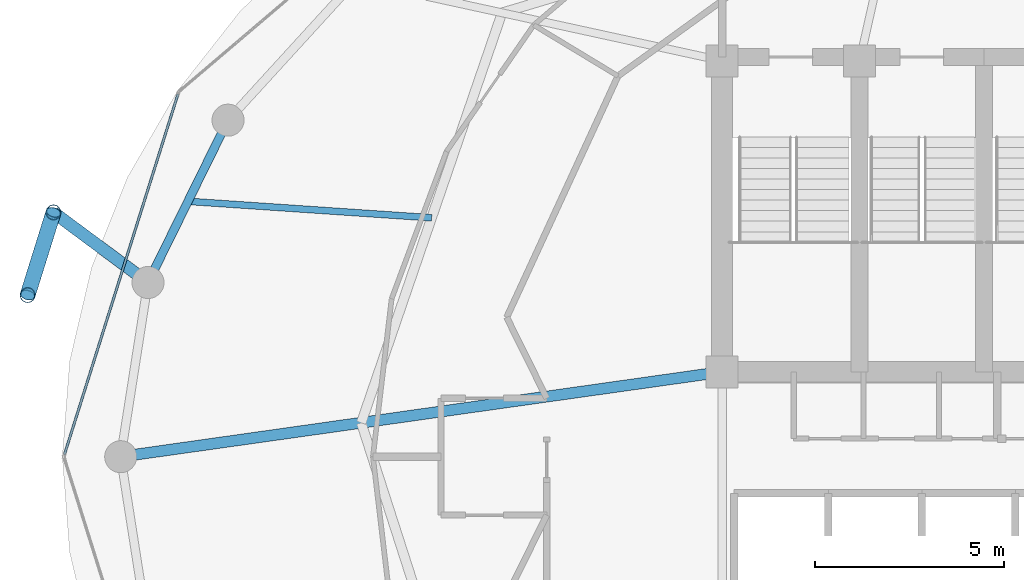
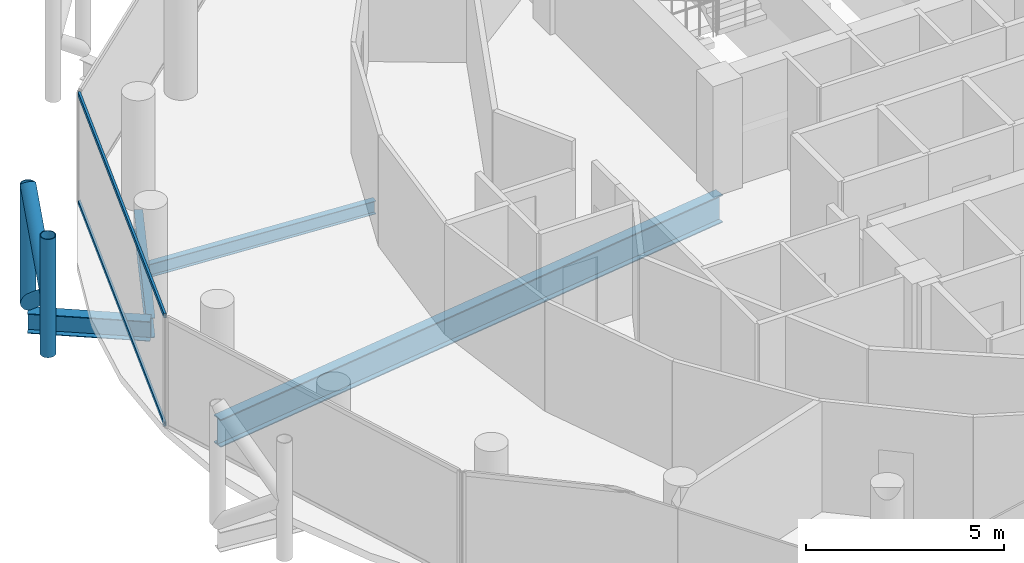
# One storey, part 8 of 27: 6 members, 4 beams, 1 element without a shape of its own.
"""IFC4 building model written with IfcOpenShell, lengths in metres."""

import ifcopenshell
import ifcopenshell.guid

model = None  # the IFC model being written
_history = None  # IfcOwnerHistory: only IFC2X3 demands one
_inside = {}  # id of a spatial element -> (the spatial element, [elements in it])
_under = {}  # id of a project, library or spatial element -> (it, [spatial elements below it])
_declared = {}  # id of a project -> (the project, [libraries it declares])
_typed = {}  # id of a type object -> (the type object, [elements of that type])
_made_of = {}  # id of a material, layer set ... -> (it, [elements and type objects made of it])


def new_model(schema):
    """Start an empty IFC model of exactly this schema.

    Asked for "IFC4X3", IfcOpenShell would pick the latest addendum, in which some entities
    have other attributes; the version numbers below select the first issue.
    IFC2X3 requires an IfcOwnerHistory on every rooted entity: one is made here for all.
    """
    global model, _history
    if schema == "IFC4X3":
        model = ifcopenshell.file(schema_version=(4, 3, 0, 0))
    else:
        model = ifcopenshell.file(schema=schema)
    _inside.clear()
    _under.clear()
    _declared.clear()
    _typed.clear()
    _made_of.clear()
    _history = None
    if model.schema == "IFC2X3":
        org = make("IfcOrganization", Name="unknown")
        user = make(
            "IfcPersonAndOrganization",
            ThePerson=make("IfcPerson", FamilyName="unknown"),
            TheOrganization=org,
        )
        app = make(
            "IfcApplication",
            ApplicationDeveloper=org,
            Version="unknown",
            ApplicationFullName="unknown",
            ApplicationIdentifier="unknown",
        )
        _history = make(
            "IfcOwnerHistory",
            OwningUser=user,
            OwningApplication=app,
            ChangeAction="ADDED",
            CreationDate=0,
        )
    return model


def make(cls, **values):
    """One entity of the class cls with the attributes given. An attribute that is None is left unset."""
    return model.create_entity(
        cls, **{name: value for name, value in values.items() if value is not None}
    )


def rooted(cls, **values):
    """An entity with a GlobalId (a new one), such as an element, a storey or a relation."""
    return make(cls, GlobalId=ifcopenshell.guid.new(), OwnerHistory=_history, **values)


def si_unit(unit_type, name, prefix=None):
    """IfcSIUnit, for example si_unit("LENGTHUNIT", "METRE", prefix="MILLI")."""
    return make("IfcSIUnit", UnitType=unit_type, Prefix=prefix, Name=name)


def assignment(units):
    """IfcUnitAssignment: the units of a project."""
    return None if units is None else make("IfcUnitAssignment", Units=units)


def point(xyz):
    """IfcCartesianPoint."""
    return None if xyz is None else make("IfcCartesianPoint", Coordinates=xyz)


def direction(xyz):
    """IfcDirection."""
    return None if xyz is None else make("IfcDirection", DirectionRatios=xyz)


def frame(location, z_axis=None, x_axis=None):
    """IfcAxis2Placement3D, a coordinate frame: its origin and axes. An axis left out is left unset."""
    return make(
        "IfcAxis2Placement3D",
        Location=point(location),
        Axis=direction(z_axis),
        RefDirection=direction(x_axis),
    )


def frame_2d(location, x_axis=None):
    """IfcAxis2Placement2D, a coordinate frame in the plane: its origin and x axis."""
    return make(
        "IfcAxis2Placement2D", Location=point(location), RefDirection=direction(x_axis)
    )


def origin():
    """The frame at (0, 0, 0) with its axes left unset."""
    return frame((0.0, 0.0, 0.0))


def origin_2d():
    """The frame at (0, 0) in the plane with its x axis left unset."""
    return frame_2d((0.0, 0.0))


def place(relative_to, where):
    """IfcLocalPlacement: puts the frame where relative to a parent placement (None: the world)."""
    return make(
        "IfcLocalPlacement", PlacementRelTo=relative_to, RelativePlacement=where
    )


def context(
    kind, dimensions, precision=None, world=None, true_north=None, identifier=None
):
    """IfcGeometricRepresentationContext, for example the 3D "Model" context."""
    return make(
        "IfcGeometricRepresentationContext",
        ContextIdentifier=identifier,
        ContextType=kind,
        CoordinateSpaceDimension=dimensions,
        Precision=precision,
        WorldCoordinateSystem=world,
        TrueNorth=true_north,
    )


def subcontext(parent, identifier, kind, view, scale=None):
    """IfcGeometricRepresentationSubContext, for example "Body" below "Model"."""
    return make(
        "IfcGeometricRepresentationSubContext",
        ContextIdentifier=identifier,
        ContextType=kind,
        ParentContext=parent,
        TargetScale=scale,
        TargetView=view,
    )


def project(units=None, contexts=None):
    """IfcProject with its units and contexts."""
    return rooted(
        "IfcProject",
        Name="project",
        RepresentationContexts=contexts,
        UnitsInContext=assignment(units),
    )


def spatial(cls, under=None, at=None, **own):
    """A site, building, storey or space (cls), placed at a placement, below another one or the project."""
    s = rooted(cls, ObjectPlacement=at, **own)
    if under is not None:
        _under.setdefault(under.id(), (under, []))[1].append(s)
    return s


def profile(cls, at=None, kind="AREA", **sizes):
    """A parametric profile (cls). Its sizes go by their IFC names, for example OverallWidth=200.0."""
    return make(cls, ProfileType=kind, Position=at, **sizes)


def hollow_rectangle(**sizes):
    """IfcRectangleHollowProfileDef."""
    return profile("IfcRectangleHollowProfileDef", **sizes)


def hollow_circle(**sizes):
    """IfcCircleHollowProfileDef."""
    return profile("IfcCircleHollowProfileDef", **sizes)


def i_section(**sizes):
    """IfcIShapeProfileDef."""
    return profile("IfcIShapeProfileDef", **sizes)


def extrude(swept, where, along, depth):
    """IfcExtrudedAreaSolid: the profile swept, set in the frame where, extruded along a direction by depth."""
    return make(
        "IfcExtrudedAreaSolid",
        SweptArea=swept,
        Position=where,
        ExtrudedDirection=direction(along),
        Depth=depth,
    )


def shape(context_of_items, identifier, shape_type, items):
    """IfcShapeRepresentation: the items that make up one representation, for example the "Body"."""
    return make(
        "IfcShapeRepresentation",
        ContextOfItems=context_of_items,
        RepresentationIdentifier=identifier,
        RepresentationType=shape_type,
        Items=items,
    )


def material(Name=None, Category=None):
    """IfcMaterial."""
    return make("IfcMaterial", Name=Name, Category=Category)


def layer(
    of_material, thickness, ventilated=None, Name=None, Category=None, Priority=None
):
    """IfcMaterialLayer: one layer of a wall or slab, of a material (None: an air gap)."""
    return make(
        "IfcMaterialLayer",
        Material=of_material,
        LayerThickness=thickness,
        IsVentilated=ventilated,
        Name=Name,
        Category=Category,
        Priority=Priority,
    )


def layer_set(layers, Name=None):
    """IfcMaterialLayerSet."""
    return make("IfcMaterialLayerSet", MaterialLayers=layers, LayerSetName=Name)


def material_profile(
    of_material, cross_section, Name=None, Category=None, Priority=None
):
    """IfcMaterialProfile: a cross section and its material."""
    return make(
        "IfcMaterialProfile",
        Name=Name,
        Material=of_material,
        Profile=cross_section,
        Priority=Priority,
        Category=Category,
    )


def profile_set(profiles, Name=None, composite=None):
    """IfcMaterialProfileSet."""
    return make(
        "IfcMaterialProfileSet",
        Name=Name,
        MaterialProfiles=profiles,
        CompositeProfile=composite,
    )


def made_of(thing, what):
    """Note that an element or type object is made of a material, layer set ...; save() writes the relation."""
    if what is not None:
        _made_of.setdefault(what.id(), (what, []))[1].append(thing)
    return thing


def type_object(cls, material=None, **own):
    """A type object (cls), such as IfcWallType, which elements share."""
    return made_of(rooted(cls, **own), material)


def element(
    cls,
    number,
    at=None,
    inside=None,
    cuts=None,
    type_object=None,
    material=None,
    context=None,
    identifier="Body",
    shape_type=None,
    held_by="IfcProductDefinitionShape",
    body=None,
    shapes=None,
    **own,
):
    """One element of the class cls, such as IfcWall. Its Tag is "e" and its number.

    at: its placement. inside: the storey or other place that contains it. cuts: it is an
    opening in that element (IfcRelVoidsElement). A single representation is given by context,
    identifier, shape_type and body (its items); several are given by shapes. held_by: the class
    of the entity that holds the representations. save() writes the other relations.
    """
    e = rooted(cls, Tag="e%d" % number, ObjectPlacement=at, **own)
    if body is not None:
        shapes = [shape(context, identifier, shape_type, body)]
    if shapes is not None:
        e.Representation = make(held_by, Representations=shapes)
    if inside is not None:
        _inside.setdefault(inside.id(), (inside, []))[1].append(e)
    if cuts is not None:
        rooted(
            "IfcRelVoidsElement", RelatingBuildingElement=cuts, RelatedOpeningElement=e
        )
    if type_object is not None:
        _typed.setdefault(type_object.id(), (type_object, []))[1].append(e)
    return made_of(e, material)


def aggregate(whole, parts):
    """IfcRelAggregates: a whole, such as a stair, and the parts it consists of."""
    return rooted("IfcRelAggregates", RelatingObject=whole, RelatedObjects=parts)


def save(model, path):
    """Write the relations noted so far, then the file.

    IfcRelAggregates (storeys below a building ...), IfcRelContainedInSpatialStructure (elements
    in a storey), IfcRelDefinesByType, IfcRelAssociatesMaterial and IfcRelDeclares: one each for
    every whole, place, type object, material and project.
    """
    for whole, parts in _under.values():
        aggregate(whole, parts)
    for where, things in _inside.values():
        rooted(
            "IfcRelContainedInSpatialStructure",
            RelatedElements=things,
            RelatingStructure=where,
        )
    for kind, things in _typed.values():
        rooted("IfcRelDefinesByType", RelatedObjects=things, RelatingType=kind)
    for what, things in _made_of.values():
        rooted("IfcRelAssociatesMaterial", RelatedObjects=things, RelatingMaterial=what)
    for by, libraries in _declared.values():
        rooted("IfcRelDeclares", RelatingContext=by, RelatedDefinitions=libraries)
    model.write(path)


model = new_model("IFC4")

# Units and contexts
model_context = context("Model", 3, precision=1e-05, world=origin(), true_north=direction((0.0, 1.0)))
body_context = subcontext(model_context, "Body", "Model", "MODEL_VIEW")
ifc_project = project(units=[si_unit("LENGTHUNIT", "METRE"), si_unit("AREAUNIT", "SQUARE_METRE"), si_unit("VOLUMEUNIT", "CUBIC_METRE"), si_unit("PLANEANGLEUNIT", "RADIAN"), si_unit("MASSUNIT", "GRAM", prefix="KILO")], contexts=[model_context])

# Site, building, storey
site_placement = place(None, origin())
site = spatial("IfcSite", under=ifc_project, at=site_placement, CompositionType="ELEMENT")
building_placement = place(site_placement, origin())
building = spatial("IfcBuilding", under=site, at=building_placement, Name="Nuhasar Tower", CompositionType="ELEMENT")
storey_placement = place(building_placement, frame((0.0, 0.0, 230.050048828125)))
storey = spatial("IfcBuildingStorey", under=building, at=storey_placement, Name="L56", CompositionType="ELEMENT", Elevation=230.050048828125)

# Beams
ifc_material_1 = material(Name="Steel S355", Category="steel")
ifc_material_profile_1 = material_profile(ifc_material_1, i_section(OverallWidth=0.177978515625, OverallDepth=0.406005859375, WebThickness=0.0078125, FlangeThickness=0.0126953125, at=origin_2d()), Name="W16X40")
ifc_profile_set_1 = profile_set([ifc_material_profile_1], Name="Steel S355")
beam_type_1 = type_object("IfcBeamType", Name="BM-JST-W16X40", PredefinedType="JOIST", material=ifc_profile_set_1)
beam_1_placement = place(storey_placement, frame((25.9970703125, 33.135986328125, -0.443115234375), z_axis=(-0.997721156568, 0.067472170095, 0.0), x_axis=(-0.067472170095, -0.997721156568, 0.0)))
element("IfcBeam", 1, at=beam_1_placement, inside=storey, type_object=beam_type_1, Name="L56 Secondary Floor Joist 07", PredefinedType="JOIST", context=body_context, shape_type="SweptSolid", body=[
    extrude(i_section(OverallWidth=0.177978515625, OverallDepth=0.406005859375, WebThickness=0.0078125, FlangeThickness=0.0126953125, at=origin_2d()), origin(), (0.0, 0.0, 1.0), 6.476806640625),
])
ifc_material_profile_2 = material_profile(ifc_material_1, i_section(OverallWidth=0.2919921875, OverallDepth=0.85888671875, WebThickness=0.01708984375, FlangeThickness=0.031005859375, at=origin_2d()), Name="W33X169")
ifc_profile_set_2 = profile_set([ifc_material_profile_2], Name="Steel S355")
beam_type_2 = type_object("IfcBeamType", Name="BM-POD-W33X169", PredefinedType="BEAM", material=ifc_profile_set_2)
beam_2_placement = place(storey_placement, frame((33.699951171875, 29.050048828125, -0.6689453125), z_axis=(-0.990196233464, -0.139683281866, 0.0), x_axis=(0.139683281866, -0.990196233464, 0.0)))
element("IfcBeam", 2, at=beam_2_placement, inside=storey, type_object=beam_type_2, Name="L56 Radial Floor Girder 08", PredefinedType="BEAM", context=body_context, shape_type="SweptSolid", body=[
    extrude(i_section(OverallWidth=0.2919921875, OverallDepth=0.85888671875, WebThickness=0.01708984375, FlangeThickness=0.031005859375, at=origin_2d()), origin(), (0.0, 0.0, 1.0), 16.10791015625),
])
ifc_material_profile_3 = material_profile(ifc_material_1, i_section(OverallWidth=0.22802734375, OverallDepth=0.60791015625, WebThickness=0.01123046875, FlangeThickness=0.017333984375, at=origin_2d()), Name="W24X76")
ifc_profile_set_3 = profile_set([ifc_material_profile_3], Name="Steel S355")
beam_type_3 = type_object("IfcBeamType", Name="BM-RING-W24X76", PredefinedType="SPANDREL", material=ifc_profile_set_3)
beam_3_placement = place(storey_placement, frame((20.596923828125, 35.72509765625, -0.5439453125), z_axis=(-0.442242604409, -0.896895467067, 0.0), x_axis=(0.896895467067, -0.442242604409, 0.0)))
element("IfcBeam", 3, at=beam_3_placement, inside=storey, type_object=beam_type_3, Name="L56 Perimeter Ring Spandrel 11", PredefinedType="SPANDREL", context=body_context, shape_type="SweptSolid", body=[
    extrude(i_section(OverallWidth=0.22802734375, OverallDepth=0.60791015625, WebThickness=0.01123046875, FlangeThickness=0.017333984375, at=origin_2d()), origin(), (0.0, 0.0, 1.0), 4.800048828125),
])
ifc_material_profile_4 = material_profile(ifc_material_1, i_section(OverallWidth=0.323974609375, OverallDepth=0.611083984375, WebThickness=0.0126953125, FlangeThickness=0.01904296875, at=origin_2d()), Name="W24X104")
ifc_profile_set_4 = profile_set([ifc_material_profile_4], Name="Steel S355")
beam_type_4 = type_object("IfcBeamType", Name="BM-TIE-W24X104", PredefinedType="BEAM", material=ifc_profile_set_4)
beam_4_placement = place(storey_placement, frame((18.47412109375, 31.419921875, -0.545166015625), z_axis=(-0.802945922723, 0.596051881285, 0.0), x_axis=(-0.596051881285, -0.802945922723, 0.0)))
element("IfcBeam", 4, at=beam_4_placement, inside=storey, type_object=beam_type_4, Name="L56 Exoskeleton Node Tie Beam 06", PredefinedType="BEAM", context=body_context, shape_type="SweptSolid", body=[
    extrude(i_section(OverallWidth=0.323974609375, OverallDepth=0.611083984375, WebThickness=0.0126953125, FlangeThickness=0.01904296875, at=origin_2d()), origin(), (0.0, 0.0, 1.0), 3.122314453125),
])

# Curtain wall, members
ifc_material_2 = material(Name="Aluminium 6063-T6", Category="aluminium")
ifc_layer = layer(ifc_material_2, 0.18994140625)
ifc_layer_set = layer_set([ifc_layer], Name="Aluminium 6063-T6")
curtain_wall_type = type_object("IfcCurtainWallType", Name="CW-Z3-RES", PredefinedType="NOTDEFINED", material=ifc_layer_set)
curtain_wall_placement = place(storey_placement, origin())
curtain_wall = element("IfcCurtainWall", 5, at=curtain_wall_placement, inside=storey, type_object=curtain_wall_type, Name="L56 Unitised Curtain Wall 06", PredefinedType="NOTDEFINED")
ifc_material_profile_5 = material_profile(ifc_material_2, hollow_rectangle(XDim=0.06494140625, YDim=0.139892578125, WallThickness=0.00439453125, at=origin_2d()), Name="CWT-4")
ifc_profile_set_5 = profile_set([ifc_material_profile_5], Name="Aluminium 6063-T6")
member_type_1 = type_object("IfcMemberType", Name="CW-TRN-S4", PredefinedType="USERDEFINED", material=ifc_profile_set_5)
member_1_placement = place(storey_placement, frame((19.26953125, 36.41796875, 0.032470703125), z_axis=(-0.300437373386, -0.953801543652, 0.0), x_axis=(0.953801543652, -0.300437373386, 0.0)))
member_1 = element("IfcMember", 6, at=member_1_placement, type_object=member_type_1, Name="CW-Z3 transom 1.1", ObjectType="TRANSOM", PredefinedType="USERDEFINED", context=body_context, shape_type="SweptSolid", body=[
    extrude(hollow_rectangle(XDim=0.06494140625, YDim=0.139892578125, WallThickness=0.00439453125, at=origin_2d()), origin(), (0.0, 0.0, 1.0), 10.018798828125),
])
member_2_placement = place(storey_placement, frame((19.26953125, 36.41796875, 3.37744140625), z_axis=(-0.300437373386, -0.953801543652, 0.0), x_axis=(0.953801543652, -0.300437373386, 0.0)))
member_2 = element("IfcMember", 7, at=member_2_placement, type_object=member_type_1, Name="CW-Z3 transom 1.2", ObjectType="TRANSOM", PredefinedType="USERDEFINED", context=body_context, shape_type="SweptSolid", body=[
    extrude(hollow_rectangle(XDim=0.06494140625, YDim=0.139892578125, WallThickness=0.00439453125, at=origin_2d()), origin(), (0.0, 0.0, 1.0), 10.018798828125),
])
aggregate(curtain_wall, [member_1, member_2])

# Members
ifc_material_3 = material(Name="Steel S460", Category="steel")
ifc_material_profile_6 = material_profile(ifc_material_3, hollow_circle(Radius=0.203125, WallThickness=0.01904296875, at=origin_2d()), Name="HSS406.4X19.1")
ifc_profile_set_6 = profile_set([ifc_material_profile_6], Name="Steel S460")
member_type_2 = type_object("IfcMemberType", Name="EXO-BRONZE-406", PredefinedType="BRACE", material=ifc_profile_set_6)
for number, where, z_axis, x_axis, name in (
    (8, (15.967041015625, 33.281005859375, 0.0), (0.0, 0.0, 1.0), (1.0, 0.0, 0.0), "L56 Exoskeleton Chord Column EC-06A"),
    (9, (15.281982421875, 31.0859375, 0.0), (0.0, 0.0, 1.0), (1.0, 0.0, 0.0), "L56 Exoskeleton Chord Column EC-06B"),
):
    element("IfcMember", number, at=place(storey_placement, frame(where, z_axis=z_axis, x_axis=x_axis)), inside=storey, type_object=member_type_2, Name=name, PredefinedType="BRACE", context=body_context, shape_type="SweptSolid", body=[
        extrude(hollow_circle(Radius=0.203125, WallThickness=0.01904296875, at=origin_2d()), origin(), (0.0, 0.0, 1.0), 3.64990234375),
    ])
for number, where, z_axis, x_axis, name in (
    (10, (15.967041015625, 33.281005859375, 0.0), (-0.233357911711, -0.747726651531, 0.621650174641), (0.954591372974, -0.297918295247, 0.0), "L56 Bronze Diagrid Brace W1-06"),
    (11, (15.281982421875, 31.0859375, 1.824951171875), (0.233357911711, 0.747726651531, 0.621650174641), (-0.954591372974, 0.297918295247, 0.0), "L56 Bronze Diagrid Brace W2-06"),
):
    element("IfcMember", number, at=place(storey_placement, frame(where, z_axis=z_axis, x_axis=x_axis)), inside=storey, type_object=member_type_2, Name=name, PredefinedType="BRACE", context=body_context, shape_type="SweptSolid", body=[
        extrude(hollow_circle(Radius=0.203125, WallThickness=0.01904296875, at=origin_2d()), origin(), (0.0, 0.0, 1.0), 2.935546875),
    ])

save(model, "model.ifc")
